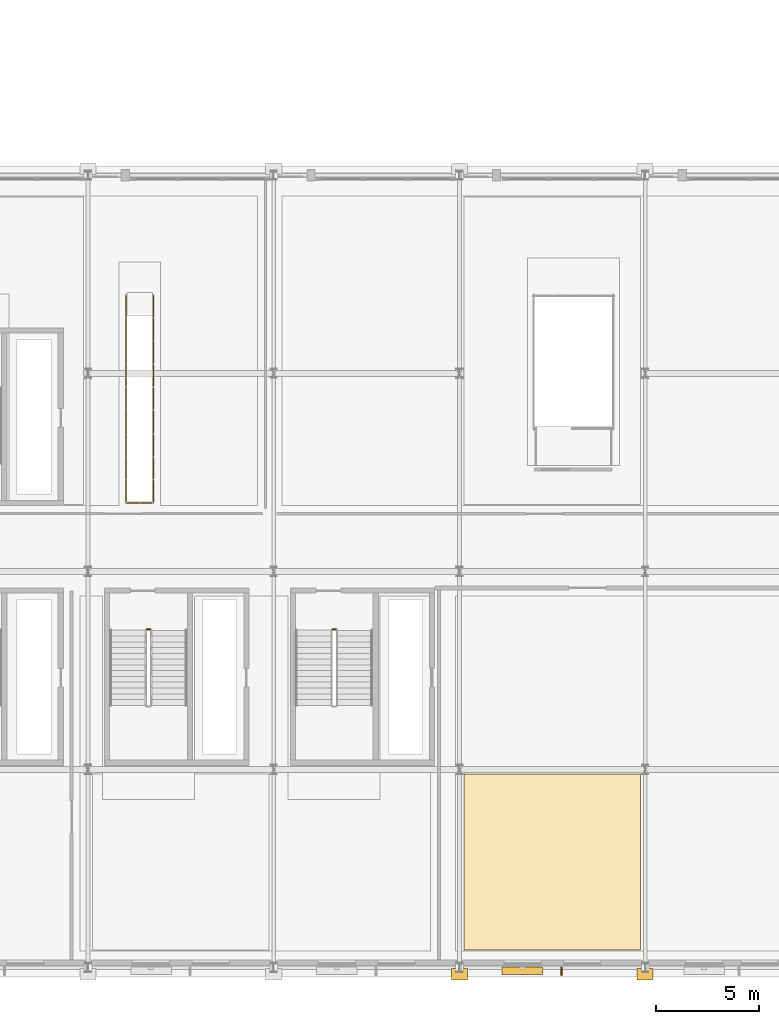
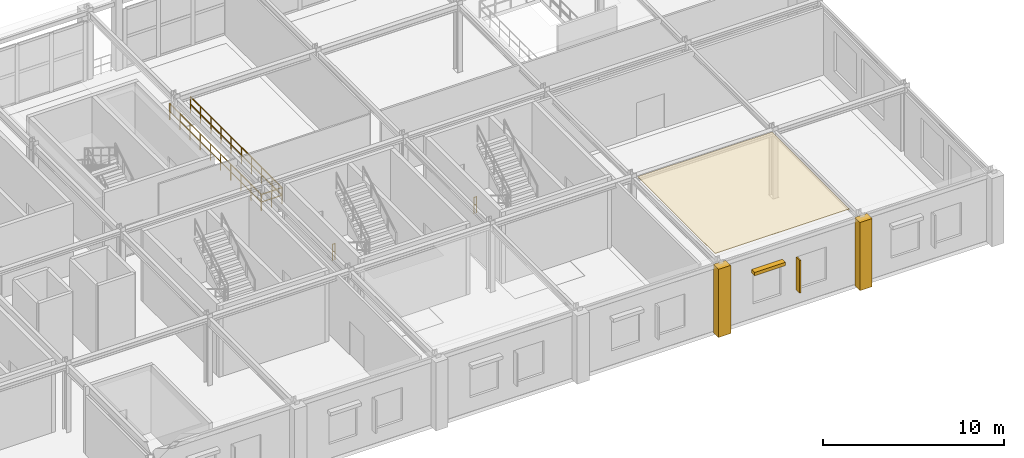
# One storey, part 114 of 125: 3 coverings, 3 railings, 2 shading devices.
"""IFC4 building model written with IfcOpenShell, lengths in metres."""

from ifc_helpers import new_model, si_unit, direction, frame, origin, origin_2d, place, context, subcontext, project, spatial, polyline, rectangle, outline, extrude, material, layer, layer_set, type_object, element, save


model = new_model("IFC4")

# Units and contexts
model_context = context("Model", 3, precision=1e-05, world=origin(), true_north=direction((0.0, 1.0)))
body_context = subcontext(model_context, "Body", "Model", "MODEL_VIEW")
ifc_project = project(units=[si_unit("LENGTHUNIT", "METRE"), si_unit("AREAUNIT", "SQUARE_METRE"), si_unit("VOLUMEUNIT", "CUBIC_METRE"), si_unit("PLANEANGLEUNIT", "RADIAN"), si_unit("MASSUNIT", "GRAM", prefix="KILO")], contexts=[model_context])

# Site, building, storey
site_placement = place(None, origin())
site = spatial("IfcSite", under=ifc_project, at=site_placement, CompositionType="ELEMENT")
building_placement = place(site_placement, origin())
building = spatial("IfcBuilding", under=site, at=building_placement, Name="Myrtia Square Station", CompositionType="ELEMENT")
storey_placement = place(building_placement, frame((0.0, 0.0, 6.0)))
storey = spatial("IfcBuildingStorey", under=building, at=storey_placement, Name="L01", CompositionType="ELEMENT", Elevation=6.0)

# Coverings
ifc_material_1 = material(Name="Pentelic marble ashlar", Category="masonry")
ifc_layer_1 = layer(ifc_material_1, 0.4599609375, Name="Pentelic marble ashlar")
ifc_layer_set_1 = layer_set([ifc_layer_1], Name="Pentelic marble ashlar")
covering_type_1 = type_object("IfcCoveringType", Name="COV-ARCH-ASHLAR", PredefinedType="CLADDING", material=ifc_layer_set_1)
for number, where, z_axis, x_axis, name in (
    (1, (162.0, -0.320068359375, -0.0400390625), (0.0, 0.0, 1.0), (1.0, 0.0, 0.0), "Classical Pentelic ashlar pilaster 042"),
    (2, (171.0, -0.320068359375, -0.0400390625), (0.0, 0.0, 1.0), (1.0, 0.0, 0.0), "Classical Pentelic ashlar pilaster 048"),
):
    element("IfcCovering", number, at=place(storey_placement, frame(where, z_axis=z_axis, x_axis=x_axis)), inside=storey, type_object=covering_type_1, Name=name, PredefinedType="CLADDING", context=body_context, shape_type="SweptSolid", body=[
        extrude(rectangle(XDim=0.780029296875, YDim=0.56005859375, at=origin_2d()), origin(), (0.0, 0.0, 1.0), 4.590087890625),
    ])
ifc_material_2 = material(Name="Gypsum plasterboard")
ifc_layer_2 = layer(ifc_material_2, 0.034912109375, Name="Gypsum plasterboard")
ifc_layer_set_2 = layer_set([ifc_layer_2], Name="Gypsum plasterboard")
covering_type_2 = type_object("IfcCoveringType", Name="COV-CEIL-ACOUSTIC", PredefinedType="CEILING", material=ifc_layer_set_2)
covering_placement = place(storey_placement, frame((0.0, 0.0, 4.5)))
element("IfcCovering", 3, at=covering_placement, inside=storey, type_object=covering_type_2, Name="Acoustic coffer ceiling L01-13", PredefinedType="CEILING", context=body_context, shape_type="SweptSolid", body=[
    extrude(outline(polyline([(162.219970703125, 0.85009765625), (162.219970703125, 9.3798828125), (170.780029296875, 9.3798828125), (170.780029296875, 0.85009765625), (162.219970703125, 0.85009765625)])), origin(), (0.0, 0.0, 1.0), 0.034912109375),
])

# Railings
ifc_material_3 = material(Name="Wrought iron", Category="steel")
railing_type = type_object("IfcRailingType", Name="RL-INT-GUARD-1100", PredefinedType="BALUSTRADE", material=ifc_material_3)
for number, where, name in (
    (4, (146.85009765625, 16.39990234375, 0.0), "L01 ST11 stair guard 4"),
    (5, (155.85009765625, 16.39990234375, 0.0), "L01 ST14 stair guard 4"),
):
    element("IfcRailing", number, at=place(storey_placement, frame(where)), inside=storey, type_object=railing_type, Name=name, PredefinedType="BALUSTRADE", context=body_context, shape_type="SweptSolid", body=[
        extrude(rectangle(XDim=0.048095703125, YDim=0.048095703125, at=origin_2d()), frame((0.03466796875, 0.0, 1.09619140625), z_axis=(1.0, 0.0, 0.0), x_axis=(0.0, 1.0, 0.0)), (0.0, 0.0, 1.0), 0.090576171875),
        extrude(rectangle(XDim=0.048095703125, YDim=0.048095703125, at=origin_2d()), frame((0.03466796875, 0.0, 0.58251953125), z_axis=(1.0, 0.0, 0.0), x_axis=(0.0, 1.0, 0.0)), (0.0, 0.0, 1.0), 0.090576171875),
        extrude(rectangle(XDim=0.0439453125, YDim=0.0439453125, at=origin_2d()), origin(), (0.0, 0.0, 1.0), 1.1201171875),
        extrude(rectangle(XDim=0.0439453125, YDim=0.0439453125, at=origin_2d()), frame((0.159912109375, 0.0, 0.0)), (0.0, 0.0, 1.0), 1.1201171875),
    ])
railing_placement = place(storey_placement, frame((145.840087890625, 32.610107421875, 0.0)))
element("IfcRailing", 6, at=railing_placement, inside=storey, type_object=railing_type, Name="Escalator ESC-08 upper well guard", PredefinedType="BALUSTRADE", context=body_context, shape_type="SweptSolid", body=[
    extrude(rectangle(XDim=0.048095703125, YDim=0.048095703125, at=origin_2d()), frame((0.0, -0.03466796875, 1.09619140625), z_axis=(0.0, -1.0, 0.0), x_axis=(1.0, 0.0, 0.0)), (0.0, 0.0, 1.0), 1.0517578125),
    extrude(rectangle(XDim=0.048095703125, YDim=0.048095703125, at=origin_2d()), frame((0.0, -0.03466796875, 0.58251953125), z_axis=(0.0, -1.0, 0.0), x_axis=(1.0, 0.0, 0.0)), (0.0, 0.0, 1.0), 1.0517578125),
    extrude(rectangle(XDim=0.048095703125, YDim=0.048095703125, at=origin_2d()), frame((0.0, -1.15576171875, 1.09619140625), z_axis=(0.0, -1.0, 0.0), x_axis=(1.0, 0.0, 0.0)), (0.0, 0.0, 1.0), 1.0517578125),
    extrude(rectangle(XDim=0.048095703125, YDim=0.048095703125, at=origin_2d()), frame((0.0, -1.15576171875, 0.58251953125), z_axis=(0.0, -1.0, 0.0), x_axis=(1.0, 0.0, 0.0)), (0.0, 0.0, 1.0), 1.0517578125),
    extrude(rectangle(XDim=0.048095703125, YDim=0.048095703125, at=origin_2d()), frame((0.0, -2.27685546875, 1.09619140625), z_axis=(0.0, -1.0, 0.0), x_axis=(1.0, 0.0, 0.0)), (0.0, 0.0, 1.0), 1.0517578125),
    extrude(rectangle(XDim=0.048095703125, YDim=0.048095703125, at=origin_2d()), frame((0.0, -2.27685546875, 0.58251953125), z_axis=(0.0, -1.0, 0.0), x_axis=(1.0, 0.0, 0.0)), (0.0, 0.0, 1.0), 1.0517578125),
    extrude(rectangle(XDim=0.048095703125, YDim=0.048095703125, at=origin_2d()), frame((0.0, -3.39794921875, 1.09619140625), z_axis=(0.0, -1.0, 0.0), x_axis=(1.0, 0.0, 0.0)), (0.0, 0.0, 1.0), 1.0517578125),
    extrude(rectangle(XDim=0.048095703125, YDim=0.048095703125, at=origin_2d()), frame((0.0, -3.39794921875, 0.58251953125), z_axis=(0.0, -1.0, 0.0), x_axis=(1.0, 0.0, 0.0)), (0.0, 0.0, 1.0), 1.0517578125),
    extrude(rectangle(XDim=0.048095703125, YDim=0.048095703125, at=origin_2d()), frame((0.0, -4.51904296875, 1.09619140625), z_axis=(0.0, -1.0, 0.0), x_axis=(1.0, 0.0, 0.0)), (0.0, 0.0, 1.0), 1.0517578125),
    extrude(rectangle(XDim=0.048095703125, YDim=0.048095703125, at=origin_2d()), frame((0.0, -4.51904296875, 0.58251953125), z_axis=(0.0, -1.0, 0.0), x_axis=(1.0, 0.0, 0.0)), (0.0, 0.0, 1.0), 1.0517578125),
    extrude(rectangle(XDim=0.048095703125, YDim=0.048095703125, at=origin_2d()), frame((0.0, -5.64013671875, 1.09619140625), z_axis=(0.0, -1.0, 0.0), x_axis=(1.0, 0.0, 0.0)), (0.0, 0.0, 1.0), 1.0517578125),
    extrude(rectangle(XDim=0.048095703125, YDim=0.048095703125, at=origin_2d()), frame((0.0, -5.64013671875, 0.58251953125), z_axis=(0.0, -1.0, 0.0), x_axis=(1.0, 0.0, 0.0)), (0.0, 0.0, 1.0), 1.0517578125),
    extrude(rectangle(XDim=0.048095703125, YDim=0.048095703125, at=origin_2d()), frame((0.0, -6.761474609375, 1.09619140625), z_axis=(0.0, -1.0, 0.0), x_axis=(1.0, 0.0, 0.0)), (0.0, 0.0, 1.0), 1.0517578125),
    extrude(rectangle(XDim=0.048095703125, YDim=0.048095703125, at=origin_2d()), frame((0.0, -6.761474609375, 0.58251953125), z_axis=(0.0, -1.0, 0.0), x_axis=(1.0, 0.0, 0.0)), (0.0, 0.0, 1.0), 1.0517578125),
    extrude(rectangle(XDim=0.048095703125, YDim=0.048095703125, at=origin_2d()), frame((0.0, -7.882568359375, 1.09619140625), z_axis=(0.0, -1.0, 0.0), x_axis=(1.0, 0.0, 0.0)), (0.0, 0.0, 1.0), 1.0517578125),
    extrude(rectangle(XDim=0.048095703125, YDim=0.048095703125, at=origin_2d()), frame((0.0, -7.882568359375, 0.58251953125), z_axis=(0.0, -1.0, 0.0), x_axis=(1.0, 0.0, 0.0)), (0.0, 0.0, 1.0), 1.0517578125),
    extrude(rectangle(XDim=0.048095703125, YDim=0.048095703125, at=origin_2d()), frame((0.0, -9.003662109375, 1.09619140625), z_axis=(0.0, -1.0, 0.0), x_axis=(1.0, 0.0, 0.0)), (0.0, 0.0, 1.0), 1.0517578125),
    extrude(rectangle(XDim=0.048095703125, YDim=0.048095703125, at=origin_2d()), frame((0.0, -9.003662109375, 0.58251953125), z_axis=(0.0, -1.0, 0.0), x_axis=(1.0, 0.0, 0.0)), (0.0, 0.0, 1.0), 1.0517578125),
    extrude(rectangle(XDim=0.048095703125, YDim=0.048095703125, at=origin_2d()), frame((0.03466796875, -10.090087890625, 1.09619140625), z_axis=(1.0, 0.0, 0.0), x_axis=(0.0, 1.0, 0.0)), (0.0, 0.0, 1.0), 0.590576171875),
    extrude(rectangle(XDim=0.048095703125, YDim=0.048095703125, at=origin_2d()), frame((0.03466796875, -10.090087890625, 0.58251953125), z_axis=(1.0, 0.0, 0.0), x_axis=(0.0, 1.0, 0.0)), (0.0, 0.0, 1.0), 0.590576171875),
    extrude(rectangle(XDim=0.048095703125, YDim=0.048095703125, at=origin_2d()), frame((0.694580078125, -10.090087890625, 1.09619140625), z_axis=(1.0, 0.0, 0.0), x_axis=(0.0, 1.0, 0.0)), (0.0, 0.0, 1.0), 0.590576171875),
    extrude(rectangle(XDim=0.048095703125, YDim=0.048095703125, at=origin_2d()), frame((0.694580078125, -10.090087890625, 0.58251953125), z_axis=(1.0, 0.0, 0.0), x_axis=(0.0, 1.0, 0.0)), (0.0, 0.0, 1.0), 0.590576171875),
    extrude(rectangle(XDim=0.048095703125, YDim=0.048095703125, at=origin_2d()), frame((1.31982421875, -10.055419921875, 1.09619140625), z_axis=(0.0, 1.0, 0.0), x_axis=(-1.0, 0.0, 0.0)), (0.0, 0.0, 1.0), 1.0517578125),
    extrude(rectangle(XDim=0.048095703125, YDim=0.048095703125, at=origin_2d()), frame((1.31982421875, -10.055419921875, 0.58251953125), z_axis=(0.0, 1.0, 0.0), x_axis=(-1.0, 0.0, 0.0)), (0.0, 0.0, 1.0), 1.0517578125),
    extrude(rectangle(XDim=0.048095703125, YDim=0.048095703125, at=origin_2d()), frame((1.31982421875, -8.934326171875, 1.09619140625), z_axis=(0.0, 1.0, 0.0), x_axis=(-1.0, 0.0, 0.0)), (0.0, 0.0, 1.0), 1.0517578125),
    extrude(rectangle(XDim=0.048095703125, YDim=0.048095703125, at=origin_2d()), frame((1.31982421875, -8.934326171875, 0.58251953125), z_axis=(0.0, 1.0, 0.0), x_axis=(-1.0, 0.0, 0.0)), (0.0, 0.0, 1.0), 1.0517578125),
    extrude(rectangle(XDim=0.048095703125, YDim=0.048095703125, at=origin_2d()), frame((1.31982421875, -7.813232421875, 1.09619140625), z_axis=(0.0, 1.0, 0.0), x_axis=(-1.0, 0.0, 0.0)), (0.0, 0.0, 1.0), 1.0517578125),
    extrude(rectangle(XDim=0.048095703125, YDim=0.048095703125, at=origin_2d()), frame((1.31982421875, -7.813232421875, 0.58251953125), z_axis=(0.0, 1.0, 0.0), x_axis=(-1.0, 0.0, 0.0)), (0.0, 0.0, 1.0), 1.0517578125),
    extrude(rectangle(XDim=0.048095703125, YDim=0.048095703125, at=origin_2d()), frame((1.31982421875, -6.692138671875, 1.09619140625), z_axis=(0.0, 1.0, 0.0), x_axis=(-1.0, 0.0, 0.0)), (0.0, 0.0, 1.0), 1.0517578125),
    extrude(rectangle(XDim=0.048095703125, YDim=0.048095703125, at=origin_2d()), frame((1.31982421875, -6.692138671875, 0.58251953125), z_axis=(0.0, 1.0, 0.0), x_axis=(-1.0, 0.0, 0.0)), (0.0, 0.0, 1.0), 1.0517578125),
    extrude(rectangle(XDim=0.048095703125, YDim=0.048095703125, at=origin_2d()), frame((1.31982421875, -5.571044921875, 1.09619140625), z_axis=(0.0, 1.0, 0.0), x_axis=(-1.0, 0.0, 0.0)), (0.0, 0.0, 1.0), 1.0517578125),
    extrude(rectangle(XDim=0.048095703125, YDim=0.048095703125, at=origin_2d()), frame((1.31982421875, -5.571044921875, 0.58251953125), z_axis=(0.0, 1.0, 0.0), x_axis=(-1.0, 0.0, 0.0)), (0.0, 0.0, 1.0), 1.0517578125),
    extrude(rectangle(XDim=0.048095703125, YDim=0.048095703125, at=origin_2d()), frame((1.31982421875, -4.449951171875, 1.09619140625), z_axis=(0.0, 1.0, 0.0), x_axis=(-1.0, 0.0, 0.0)), (0.0, 0.0, 1.0), 1.0517578125),
    extrude(rectangle(XDim=0.048095703125, YDim=0.048095703125, at=origin_2d()), frame((1.31982421875, -4.449951171875, 0.58251953125), z_axis=(0.0, 1.0, 0.0), x_axis=(-1.0, 0.0, 0.0)), (0.0, 0.0, 1.0), 1.0517578125),
    extrude(rectangle(XDim=0.048095703125, YDim=0.048095703125, at=origin_2d()), frame((1.31982421875, -3.32861328125, 1.09619140625), z_axis=(0.0, 1.0, 0.0), x_axis=(-1.0, 0.0, 0.0)), (0.0, 0.0, 1.0), 1.0517578125),
    extrude(rectangle(XDim=0.048095703125, YDim=0.048095703125, at=origin_2d()), frame((1.31982421875, -3.32861328125, 0.58251953125), z_axis=(0.0, 1.0, 0.0), x_axis=(-1.0, 0.0, 0.0)), (0.0, 0.0, 1.0), 1.0517578125),
    extrude(rectangle(XDim=0.048095703125, YDim=0.048095703125, at=origin_2d()), frame((1.31982421875, -2.20751953125, 1.09619140625), z_axis=(0.0, 1.0, 0.0), x_axis=(-1.0, 0.0, 0.0)), (0.0, 0.0, 1.0), 1.0517578125),
    extrude(rectangle(XDim=0.048095703125, YDim=0.048095703125, at=origin_2d()), frame((1.31982421875, -2.20751953125, 0.58251953125), z_axis=(0.0, 1.0, 0.0), x_axis=(-1.0, 0.0, 0.0)), (0.0, 0.0, 1.0), 1.0517578125),
    extrude(rectangle(XDim=0.048095703125, YDim=0.048095703125, at=origin_2d()), frame((1.31982421875, -1.08642578125, 1.09619140625), z_axis=(0.0, 1.0, 0.0), x_axis=(-1.0, 0.0, 0.0)), (0.0, 0.0, 1.0), 1.0517578125),
    extrude(rectangle(XDim=0.048095703125, YDim=0.048095703125, at=origin_2d()), frame((1.31982421875, -1.08642578125, 0.58251953125), z_axis=(0.0, 1.0, 0.0), x_axis=(-1.0, 0.0, 0.0)), (0.0, 0.0, 1.0), 1.0517578125),
    extrude(rectangle(XDim=0.0439453125, YDim=0.0439453125, at=origin_2d()), origin(), (0.0, 0.0, 1.0), 1.1201171875),
    extrude(rectangle(XDim=0.0439453125, YDim=0.0439453125, at=origin_2d()), frame((0.0, -1.12109375, 0.0)), (0.0, 0.0, 1.0), 1.1201171875),
    extrude(rectangle(XDim=0.0439453125, YDim=0.0439453125, at=origin_2d()), frame((0.0, -2.2421875, 0.0)), (0.0, 0.0, 1.0), 1.1201171875),
    extrude(rectangle(XDim=0.0439453125, YDim=0.0439453125, at=origin_2d()), frame((0.0, -3.36328125, 0.0)), (0.0, 0.0, 1.0), 1.1201171875),
    extrude(rectangle(XDim=0.0439453125, YDim=0.0439453125, at=origin_2d()), frame((0.0, -4.484375, 0.0)), (0.0, 0.0, 1.0), 1.1201171875),
    extrude(rectangle(XDim=0.0439453125, YDim=0.0439453125, at=origin_2d()), frame((0.0, -5.605712890625, 0.0)), (0.0, 0.0, 1.0), 1.1201171875),
    extrude(rectangle(XDim=0.0439453125, YDim=0.0439453125, at=origin_2d()), frame((0.0, -6.726806640625, 0.0)), (0.0, 0.0, 1.0), 1.1201171875),
    extrude(rectangle(XDim=0.0439453125, YDim=0.0439453125, at=origin_2d()), frame((0.0, -7.847900390625, 0.0)), (0.0, 0.0, 1.0), 1.1201171875),
    extrude(rectangle(XDim=0.0439453125, YDim=0.0439453125, at=origin_2d()), frame((0.0, -8.968994140625, 0.0)), (0.0, 0.0, 1.0), 1.1201171875),
    extrude(rectangle(XDim=0.0439453125, YDim=0.0439453125, at=origin_2d()), frame((0.0, -10.090087890625, 0.0)), (0.0, 0.0, 1.0), 1.1201171875),
    extrude(rectangle(XDim=0.0439453125, YDim=0.0439453125, at=origin_2d()), frame((0.659912109375, -10.090087890625, 0.0)), (0.0, 0.0, 1.0), 1.1201171875),
    extrude(rectangle(XDim=0.0439453125, YDim=0.0439453125, at=origin_2d()), frame((1.31982421875, -10.090087890625, 0.0)), (0.0, 0.0, 1.0), 1.1201171875),
    extrude(rectangle(XDim=0.0439453125, YDim=0.0439453125, at=origin_2d()), frame((1.31982421875, -8.968994140625, 0.0)), (0.0, 0.0, 1.0), 1.1201171875),
    extrude(rectangle(XDim=0.0439453125, YDim=0.0439453125, at=origin_2d()), frame((1.31982421875, -7.847900390625, 0.0)), (0.0, 0.0, 1.0), 1.1201171875),
    extrude(rectangle(XDim=0.0439453125, YDim=0.0439453125, at=origin_2d()), frame((1.31982421875, -6.726806640625, 0.0)), (0.0, 0.0, 1.0), 1.1201171875),
    extrude(rectangle(XDim=0.0439453125, YDim=0.0439453125, at=origin_2d()), frame((1.31982421875, -5.605712890625, 0.0)), (0.0, 0.0, 1.0), 1.1201171875),
    extrude(rectangle(XDim=0.0439453125, YDim=0.0439453125, at=origin_2d()), frame((1.31982421875, -4.484375, 0.0)), (0.0, 0.0, 1.0), 1.1201171875),
    extrude(rectangle(XDim=0.0439453125, YDim=0.0439453125, at=origin_2d()), frame((1.31982421875, -3.36328125, 0.0)), (0.0, 0.0, 1.0), 1.1201171875),
    extrude(rectangle(XDim=0.0439453125, YDim=0.0439453125, at=origin_2d()), frame((1.31982421875, -2.2421875, 0.0)), (0.0, 0.0, 1.0), 1.1201171875),
    extrude(rectangle(XDim=0.0439453125, YDim=0.0439453125, at=origin_2d()), frame((1.31982421875, -1.12109375, 0.0)), (0.0, 0.0, 1.0), 1.1201171875),
    extrude(rectangle(XDim=0.0439453125, YDim=0.0439453125, at=origin_2d()), frame((1.31982421875, 0.0, 0.0)), (0.0, 0.0, 1.0), 1.1201171875),
])

# Shading devices
ifc_material_4 = material(Name="Dark bronze anodised aluminium", Category="aluminium")
shading_device_type_1 = type_object("IfcShadingDeviceType", Name="SHD-FIN-BRONZE", PredefinedType="USERDEFINED", material=ifc_material_4)
shading_device_1_placement = place(storey_placement, frame((166.947998046875, -0.169921875, 0.9501953125), z_axis=(0.0, 0.0, 1.0), x_axis=(1.0, 0.0, 0.0)))
element("IfcShadingDevice", 7, at=shading_device_1_placement, inside=storey, type_object=shading_device_type_1, Name="Vertical bronze solar fin SHF-017", ObjectType="FIN", PredefinedType="USERDEFINED", context=body_context, shape_type="SweptSolid", body=[
    extrude(rectangle(XDim=0.080078125, YDim=0.389892578125, at=origin_2d()), origin(), (0.0, 0.0, 1.0), 2.199951171875),
])
shading_device_type_2 = type_object("IfcShadingDeviceType", Name="SHD-JALOUSIE-BRONZE", PredefinedType="JALOUSIE", material=ifc_material_4)
shading_device_2_placement = place(storey_placement, frame((165.052001953125, -0.14990234375, 3.08984375), z_axis=(0.0, 0.0, 1.0), x_axis=(1.0, 0.0, 0.0)))
element("IfcShadingDevice", 8, at=shading_device_2_placement, inside=storey, type_object=shading_device_type_2, Name="Mediterranean bronze solar louvre SHL-017", PredefinedType="JALOUSIE", context=body_context, shape_type="SweptSolid", body=[
    extrude(rectangle(XDim=1.9599609375, YDim=0.35009765625, at=origin_2d()), origin(), (0.0, 0.0, 1.0), 0.219970703125),
])

save(model, "model.ifc")
